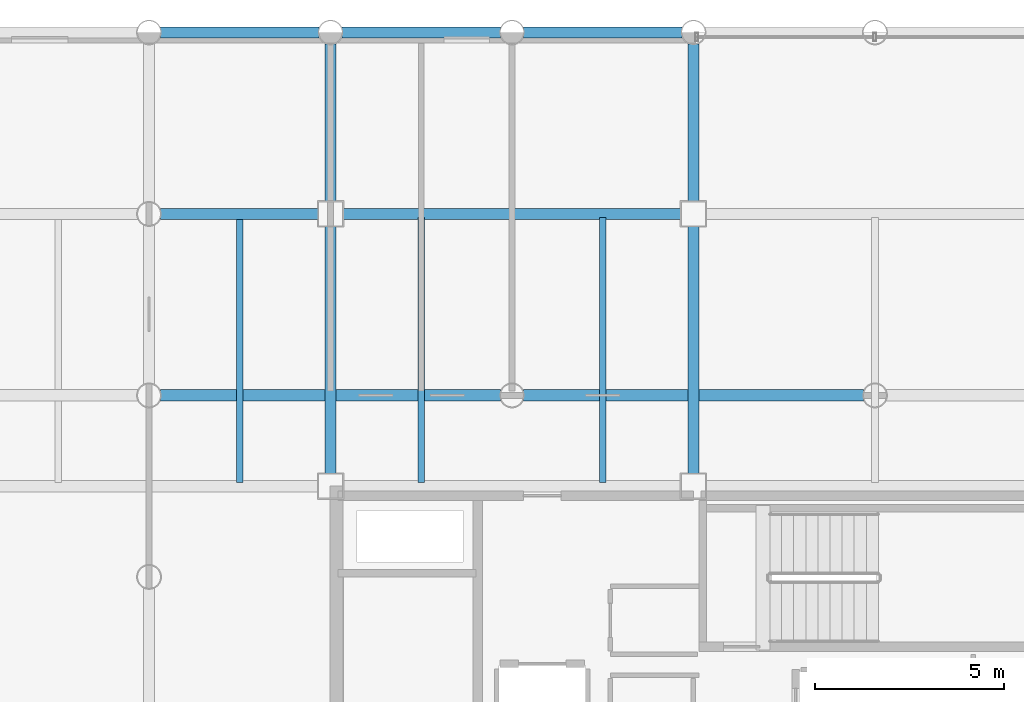
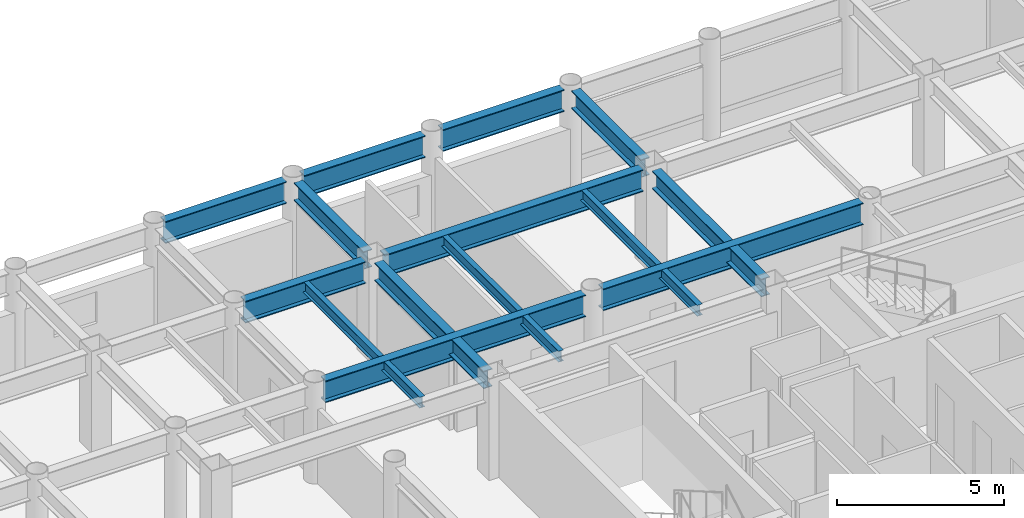
# One storey, part 10 of 19: 14 beams.
"""IFC4 building model written with IfcOpenShell, lengths in metres."""

from ifc_helpers import new_model, si_unit, direction, frame, origin, origin_2d, place, context, subcontext, project, spatial, i_section, extrude, material, material_profile, profile_set, type_object, element, save


model = new_model("IFC4")

# Units and contexts
model_context = context("Model", 3, precision=1e-05, world=origin(), true_north=direction((0.0, 1.0)))
body_context = subcontext(model_context, "Body", "Model", "MODEL_VIEW")
ifc_project = project(units=[si_unit("LENGTHUNIT", "METRE"), si_unit("AREAUNIT", "SQUARE_METRE"), si_unit("VOLUMEUNIT", "CUBIC_METRE"), si_unit("PLANEANGLEUNIT", "RADIAN"), si_unit("MASSUNIT", "GRAM", prefix="KILO")], contexts=[model_context])

# Site, building, storey
site_placement = place(None, origin())
site = spatial("IfcSite", under=ifc_project, at=site_placement, CompositionType="ELEMENT")
building_placement = place(site_placement, origin())
building = spatial("IfcBuilding", under=site, at=building_placement, Name="Kallvorn Hotel Tower", CompositionType="ELEMENT")
storey_placement = place(building_placement, frame((0.0, 0.0, 169.199951171875)))
storey = spatial("IfcBuildingStorey", under=building, at=storey_placement, Name="L42", CompositionType="ELEMENT", Elevation=169.199951171875)

# Beams
ifc_material_1 = material(Name="Structural steel S355JR", Category="steel")
ifc_material_profile_1 = material_profile(ifc_material_1, i_section(OverallWidth=0.300048828125, OverallDepth=0.64990234375, WebThickness=0.01611328125, FlangeThickness=0.031005859375, at=origin_2d()), Name="HE 650 B")
ifc_profile_set_1 = profile_set([ifc_material_profile_1], Name="Structural steel S355JR")
beam_type_1 = type_object("IfcBeamType", Name="BM_HE650B", PredefinedType="BEAM", material=ifc_profile_set_1)
beam_1_placement = place(storey_placement, frame((-14.39990234375, 7.52490234375, 3.195068359375), z_axis=(0.0, 1.0, 0.0), x_axis=(-1.0, 0.0, 0.0)))
element("IfcBeam", 1, at=beam_1_placement, inside=storey, type_object=beam_type_1, Name="L43 Primary Y-Girder 101", PredefinedType="BEAM", context=body_context, shape_type="SweptSolid", body=[
    extrude(i_section(OverallWidth=0.300048828125, OverallDepth=0.64990234375, WebThickness=0.01611328125, FlangeThickness=0.031005859375, at=origin_2d()), origin(), (0.0, 0.0, 1.0), 6.550048828125),
])
beam_2_placement = place(storey_placement, frame((-14.39990234375, 14.72509765625, 3.195068359375), z_axis=(0.0, 1.0, 0.0), x_axis=(-1.0, 0.0, 0.0)))
element("IfcBeam", 2, at=beam_2_placement, inside=storey, type_object=beam_type_1, Name="L43 Primary Y-Girder 102", PredefinedType="BEAM", context=body_context, shape_type="SweptSolid", body=[
    extrude(i_section(OverallWidth=0.300048828125, OverallDepth=0.64990234375, WebThickness=0.01611328125, FlangeThickness=0.031005859375, at=origin_2d()), origin(), (0.0, 0.0, 1.0), 4.169921875),
])
beam_3_placement = place(storey_placement, frame((-4.800048828125, 7.52490234375, 3.195068359375), z_axis=(0.0, 1.0, 0.0), x_axis=(-1.0, 0.0, 0.0)))
element("IfcBeam", 3, at=beam_3_placement, inside=storey, type_object=beam_type_1, Name="L43 Primary Y-Girder 109", PredefinedType="BEAM", context=body_context, shape_type="SweptSolid", body=[
    extrude(i_section(OverallWidth=0.300048828125, OverallDepth=0.64990234375, WebThickness=0.01611328125, FlangeThickness=0.031005859375, at=origin_2d()), origin(), (0.0, 0.0, 1.0), 6.550048828125),
])
beam_4_placement = place(storey_placement, frame((-4.800048828125, 14.72509765625, 3.195068359375), z_axis=(0.0, 1.0, 0.0), x_axis=(-1.0, 0.0, 0.0)))
element("IfcBeam", 4, at=beam_4_placement, inside=storey, type_object=beam_type_1, Name="L43 Primary Y-Girder 110", PredefinedType="BEAM", context=body_context, shape_type="SweptSolid", body=[
    extrude(i_section(OverallWidth=0.300048828125, OverallDepth=0.64990234375, WebThickness=0.01611328125, FlangeThickness=0.031005859375, at=origin_2d()), origin(), (0.0, 0.0, 1.0), 4.169921875),
])
ifc_material_2 = material(Name="Structural steel S355JR", Category="steel")
ifc_material_profile_2 = material_profile(ifc_material_2, i_section(OverallWidth=0.300048828125, OverallDepth=0.800048828125, WebThickness=0.017578125, FlangeThickness=0.032958984375, at=origin_2d()), Name="HE 800 B")
ifc_profile_set_2 = profile_set([ifc_material_profile_2], Name="Structural steel S355JR")
beam_type_2 = type_object("IfcBeamType", Name="BM_HE800B", PredefinedType="BEAM", material=ifc_profile_set_2)
for number, where, z_axis, x_axis, name in (
    (5, (-18.89501953125, 9.60009765625, 3.1201171875), (1.0, 0.0, 0.0), (0.0, 1.0, 0.0), "L43 Primary X-Girder 45"),
    (6, (-9.294921875, 9.60009765625, 3.1201171875), (1.0, 0.0, 0.0), (0.0, 1.0, 0.0), "L43 Primary X-Girder 46"),
):
    element("IfcBeam", number, at=place(storey_placement, frame(where, z_axis=z_axis, x_axis=x_axis)), inside=storey, type_object=beam_type_2, Name=name, PredefinedType="BEAM", context=body_context, shape_type="SweptSolid", body=[
        extrude(i_section(OverallWidth=0.300048828125, OverallDepth=0.800048828125, WebThickness=0.017578125, FlangeThickness=0.032958984375, at=origin_2d()), origin(), (0.0, 0.0, 1.0), 8.989990234375),
    ])
beam_5_placement = place(storey_placement, frame((-18.89501953125, 14.39990234375, 3.1201171875), z_axis=(1.0, 0.0, 0.0), x_axis=(0.0, 1.0, 0.0)))
element("IfcBeam", 7, at=beam_5_placement, inside=storey, type_object=beam_type_2, Name="L43 Primary X-Girder 54", PredefinedType="BEAM", context=body_context, shape_type="SweptSolid", body=[
    extrude(i_section(OverallWidth=0.300048828125, OverallDepth=0.800048828125, WebThickness=0.017578125, FlangeThickness=0.032958984375, at=origin_2d()), origin(), (0.0, 0.0, 1.0), 4.169921875),
])
beam_6_placement = place(storey_placement, frame((-14.074951171875, 14.39990234375, 3.1201171875), z_axis=(1.0, 0.0, 0.0), x_axis=(0.0, 1.0, 0.0)))
element("IfcBeam", 8, at=beam_6_placement, inside=storey, type_object=beam_type_2, Name="L43 Primary X-Girder 55", PredefinedType="BEAM", context=body_context, shape_type="SweptSolid", body=[
    extrude(i_section(OverallWidth=0.300048828125, OverallDepth=0.800048828125, WebThickness=0.017578125, FlangeThickness=0.032958984375, at=origin_2d()), origin(), (0.0, 0.0, 1.0), 8.949951171875),
])
for number, where, z_axis, x_axis, name in (
    (9, (-18.89501953125, 19.199951171875, 3.1201171875), (1.0, 0.0, 0.0), (0.0, 1.0, 0.0), "L43 Primary X-Girder 63"),
    (10, (-14.094970703125, 19.199951171875, 3.1201171875), (1.0, 0.0, 0.0), (0.0, 1.0, 0.0), "L43 Primary X-Girder 64"),
    (11, (-9.294921875, 19.199951171875, 3.1201171875), (1.0, 0.0, 0.0), (0.0, 1.0, 0.0), "L43 Primary X-Girder 65"),
):
    element("IfcBeam", number, at=place(storey_placement, frame(where, z_axis=z_axis, x_axis=x_axis)), inside=storey, type_object=beam_type_2, Name=name, PredefinedType="BEAM", context=body_context, shape_type="SweptSolid", body=[
        extrude(i_section(OverallWidth=0.300048828125, OverallDepth=0.800048828125, WebThickness=0.017578125, FlangeThickness=0.032958984375, at=origin_2d()), origin(), (0.0, 0.0, 1.0), 4.18994140625),
    ])
ifc_material_3 = material(Name="Structural steel S355JR", Category="steel")
ifc_material_profile_3 = material_profile(ifc_material_3, i_section(OverallWidth=0.179931640625, OverallDepth=0.39990234375, WebThickness=0.008544921875, FlangeThickness=0.013427734375, at=origin_2d()), Name="IPE 400")
ifc_profile_set_3 = profile_set([ifc_material_profile_3], Name="Structural steel S355JR")
beam_type_3 = type_object("IfcBeamType", Name="BM_IPE400", PredefinedType="JOIST", material=ifc_profile_set_3)
for number, where, z_axis, x_axis, name in (
    (12, (-16.800048828125, 7.300048828125, 3.320068359375), (0.0, 1.0, 0.0), (-1.0, 0.0, 0.0), "L43 Secondary Composite Joist 195"),
    (13, (-12.0, 7.300048828125, 3.320068359375), (0.0, 1.0, 0.0), (-1.0, 0.0, 0.0), "L43 Secondary Composite Joist 197"),
    (14, (-7.199951171875, 7.300048828125, 3.320068359375), (0.0, 1.0, 0.0), (-1.0, 0.0, 0.0), "L43 Secondary Composite Joist 199"),
):
    element("IfcBeam", number, at=place(storey_placement, frame(where, z_axis=z_axis, x_axis=x_axis)), inside=storey, type_object=beam_type_3, Name=name, PredefinedType="JOIST", context=body_context, shape_type="SweptSolid", body=[
        extrude(i_section(OverallWidth=0.179931640625, OverallDepth=0.39990234375, WebThickness=0.008544921875, FlangeThickness=0.013427734375, at=origin_2d()), origin(), (0.0, 0.0, 1.0), 7.0),
    ])

save(model, "model.ifc")
